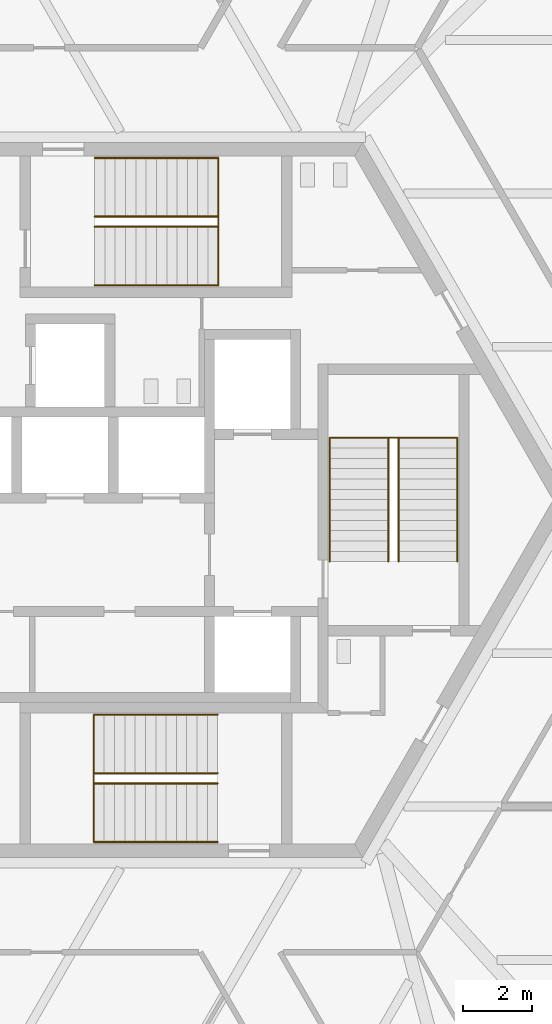
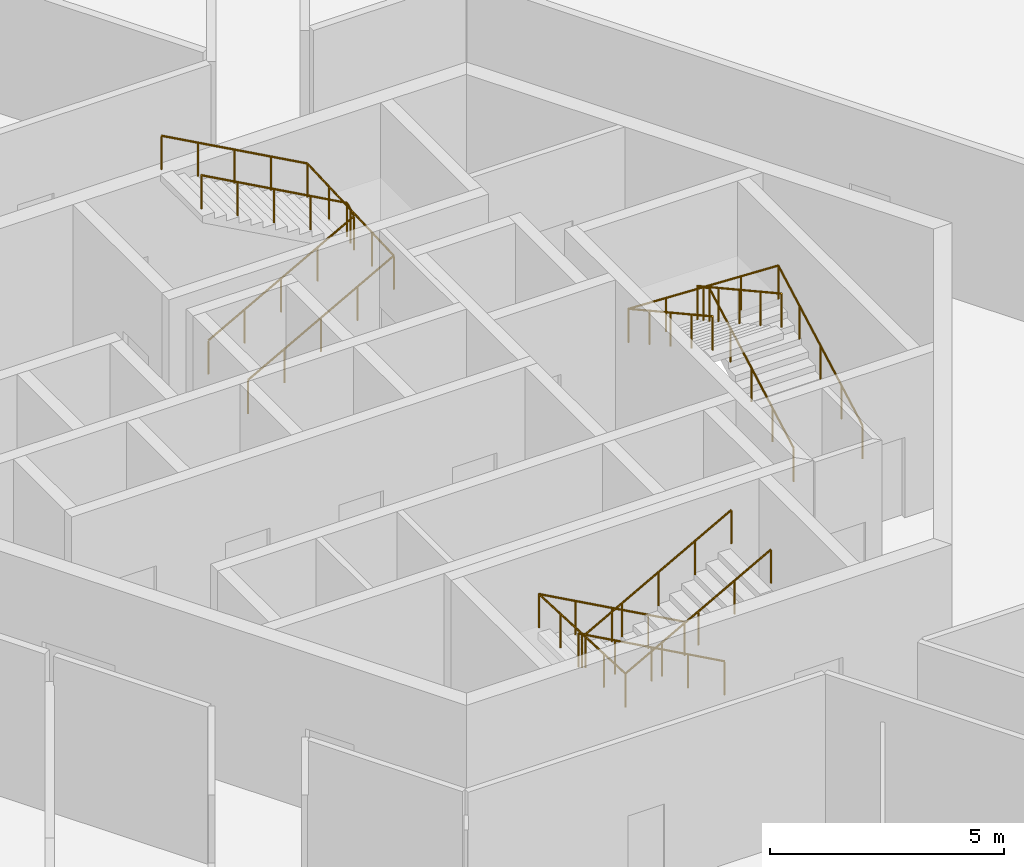
# One storey, part 15 of 16: 6 railings.
"""IFC4 building model written with IfcOpenShell, lengths in metres."""

from ifc_helpers import new_model, si_unit, direction, frame, origin, origin_2d, place, context, subcontext, project, spatial, circle, extrude, source, transform, mapped, material, type_object, element, save


model = new_model("IFC4")

# Units and contexts
model_context = context("Model", 3, precision=1e-05, world=origin(), true_north=direction((0.0, 1.0)))
body_context = subcontext(model_context, "Body", "Model", "MODEL_VIEW")
ifc_project = project(units=[si_unit("LENGTHUNIT", "METRE"), si_unit("AREAUNIT", "SQUARE_METRE"), si_unit("VOLUMEUNIT", "CUBIC_METRE"), si_unit("PLANEANGLEUNIT", "RADIAN"), si_unit("MASSUNIT", "GRAM", prefix="KILO")], contexts=[model_context])

# Site, building, storey
site_placement = place(None, origin())
site = spatial("IfcSite", under=ifc_project, at=site_placement, CompositionType="ELEMENT")
building_placement = place(site_placement, origin())
building = spatial("IfcBuilding", under=site, at=building_placement, Name="Triune Harvest Tower", CompositionType="ELEMENT")
storey_placement = place(building_placement, frame((0.0, 0.0, 37.5)))
storey = spatial("IfcBuildingStorey", under=building, at=storey_placement, Name="L08", CompositionType="ELEMENT", Elevation=37.5)

# Railings
ifc_material = material(Name="Stainless steel AISI 316", Category="steel")
railing_type = type_object("IfcRailingType", Name="Stair handrail", PredefinedType="HANDRAIL", material=ifc_material)
shared_shape_1 = source(origin(), body_context, "Body", "SweptSolid", [
    extrude(circle(Radius=0.02392578125, at=origin_2d()), frame((0.0, 0.0, 0.8759765625), z_axis=(0.875746539262, 0.0, 0.482771166259), x_axis=(0.0, 1.0, 0.0)), (0.0, 0.0, 1.0), 4.11083984375),
    extrude(circle(Radius=0.02392578125, at=origin_2d()), frame((3.60009765625, 0.0, 2.8603515625), z_axis=(0.0, 0.999000768331, 0.04469300699), x_axis=(-1.0, 0.0, 0.0)), (0.0, 0.0, 1.0), 3.70361328125),
    extrude(circle(Radius=0.02392578125, at=origin_2d()), frame((3.60009765625, 3.699951171875, 3.02587890625), z_axis=(-0.875746539262, 0.0, 0.482771166259), x_axis=(0.0, -1.0, 0.0)), (0.0, 0.0, 1.0), 4.11083984375),
    extrude(circle(Radius=0.02099609375, at=origin_2d()), origin(), (0.0, 0.0, 1.0), 0.851806640625),
    extrude(circle(Radius=0.02099609375, at=origin_2d()), frame((0.89990234375, 0.0, 0.49609375)), (0.0, 0.0, 1.0), 0.851806640625),
    extrude(circle(Radius=0.02099609375, at=origin_2d()), frame((1.800048828125, 0.0, 0.9921875)), (0.0, 0.0, 1.0), 0.851806640625),
    extrude(circle(Radius=0.02099609375, at=origin_2d()), frame((2.7001953125, 0.0, 1.488525390625)), (0.0, 0.0, 1.0), 0.851806640625),
    extrude(circle(Radius=0.02099609375, at=origin_2d()), frame((3.60009765625, 0.0, 1.984619140625)), (0.0, 0.0, 1.0), 0.851806640625),
    extrude(circle(Radius=0.02099609375, at=origin_2d()), frame((3.60009765625, 0.925048828125, 2.02587890625)), (0.0, 0.0, 1.0), 0.851806640625),
    extrude(circle(Radius=0.02099609375, at=origin_2d()), frame((3.60009765625, 1.85009765625, 2.0673828125)), (0.0, 0.0, 1.0), 0.851806640625),
    extrude(circle(Radius=0.02099609375, at=origin_2d()), frame((3.60009765625, 2.77490234375, 2.10888671875)), (0.0, 0.0, 1.0), 0.851806640625),
    extrude(circle(Radius=0.02099609375, at=origin_2d()), frame((3.60009765625, 3.699951171875, 2.150146484375)), (0.0, 0.0, 1.0), 0.851806640625),
    extrude(circle(Radius=0.02099609375, at=origin_2d()), frame((2.7001953125, 3.699951171875, 2.646240234375)), (0.0, 0.0, 1.0), 0.851806640625),
    extrude(circle(Radius=0.02099609375, at=origin_2d()), frame((1.800048828125, 3.699951171875, 3.142578125)), (0.0, 0.0, 1.0), 0.851806640625),
    extrude(circle(Radius=0.02099609375, at=origin_2d()), frame((0.89990234375, 3.699951171875, 3.638671875)), (0.0, 0.0, 1.0), 0.851806640625),
    extrude(circle(Radius=0.02099609375, at=origin_2d()), frame((0.0, 3.699951171875, 4.134765625)), (0.0, 0.0, 1.0), 0.851806640625),
])
railing_1_placement = place(storey_placement, frame((-1.7900390625, 6.239990234375, 0.165283203125)))
element("IfcRailing", 1, at=railing_1_placement, inside=storey, type_object=railing_type, Name="Exit stair north wall handrail", PredefinedType="HANDRAIL", context=body_context, shape_type="MappedRepresentation", body=[
    mapped(shared_shape_1, transform((0.0, 0.0, 0.0), scale=1.0)),
])
shared_shape_2 = source(origin(), body_context, "Body", "SweptSolid", [
    extrude(circle(Radius=0.02392578125, at=origin_2d()), frame((0.0, 0.0, 0.8759765625), z_axis=(0.875746539262, 0.0, 0.482771166259), x_axis=(0.0, 1.0, 0.0)), (0.0, 0.0, 1.0), 4.11083984375),
    extrude(circle(Radius=0.02392578125, at=origin_2d()), frame((3.60009765625, 0.0, 2.8603515625), z_axis=(0.0, 0.875598465653, 0.483039674298), x_axis=(-1.0, 0.0, 0.0)), (0.0, 0.0, 1.0), 0.3427734375),
    extrude(circle(Radius=0.02392578125, at=origin_2d()), frame((3.60009765625, 0.300048828125, 3.02587890625), z_axis=(-0.875746539262, 0.0, 0.482771166259), x_axis=(0.0, -1.0, 0.0)), (0.0, 0.0, 1.0), 4.11083984375),
    extrude(circle(Radius=0.02099609375, at=origin_2d()), origin(), (0.0, 0.0, 1.0), 0.851806640625),
    extrude(circle(Radius=0.02099609375, at=origin_2d()), frame((0.89990234375, 0.0, 0.49609375)), (0.0, 0.0, 1.0), 0.851806640625),
    extrude(circle(Radius=0.02099609375, at=origin_2d()), frame((1.800048828125, 0.0, 0.9921875)), (0.0, 0.0, 1.0), 0.851806640625),
    extrude(circle(Radius=0.02099609375, at=origin_2d()), frame((2.7001953125, 0.0, 1.488525390625)), (0.0, 0.0, 1.0), 0.851806640625),
    extrude(circle(Radius=0.02099609375, at=origin_2d()), frame((3.60009765625, 0.0, 1.984619140625)), (0.0, 0.0, 1.0), 0.851806640625),
    extrude(circle(Radius=0.02099609375, at=origin_2d()), frame((3.60009765625, 0.300048828125, 2.150146484375)), (0.0, 0.0, 1.0), 0.851806640625),
    extrude(circle(Radius=0.02099609375, at=origin_2d()), frame((2.7001953125, 0.300048828125, 2.646240234375)), (0.0, 0.0, 1.0), 0.851806640625),
    extrude(circle(Radius=0.02099609375, at=origin_2d()), frame((1.800048828125, 0.300048828125, 3.142578125)), (0.0, 0.0, 1.0), 0.851806640625),
    extrude(circle(Radius=0.02099609375, at=origin_2d()), frame((0.89990234375, 0.300048828125, 3.638671875)), (0.0, 0.0, 1.0), 0.851806640625),
    extrude(circle(Radius=0.02099609375, at=origin_2d()), frame((0.0, 0.300048828125, 4.134765625)), (0.0, 0.0, 1.0), 0.851806640625),
])
railing_2_placement = place(storey_placement, frame((-1.7900390625, 7.93994140625, 0.165283203125)))
element("IfcRailing", 2, at=railing_2_placement, inside=storey, type_object=railing_type, Name="Exit stair north centre handrail", PredefinedType="HANDRAIL", context=body_context, shape_type="MappedRepresentation", body=[
    mapped(shared_shape_2, transform((0.0, 0.0, 0.0), scale=1.0)),
])
shared_shape_3 = source(origin(), body_context, "Body", "SweptSolid", [
    extrude(circle(Radius=0.02392578125, at=origin_2d()), frame((0.0, 0.0, 0.8759765625), z_axis=(-0.875746539262, 0.0, 0.482771166259), x_axis=(0.0, -1.0, 0.0)), (0.0, 0.0, 1.0), 4.11083984375),
    extrude(circle(Radius=0.02392578125, at=origin_2d()), frame((-3.60009765625, 0.0, 2.8603515625), z_axis=(0.0, -0.999000768331, 0.04469300699), x_axis=(1.0, 0.0, 0.0)), (0.0, 0.0, 1.0), 3.70361328125),
    extrude(circle(Radius=0.02392578125, at=origin_2d()), frame((-3.60009765625, -3.699951171875, 3.02587890625), z_axis=(0.875746539262, 0.0, 0.482771166259), x_axis=(0.0, 1.0, 0.0)), (0.0, 0.0, 1.0), 4.11083984375),
    extrude(circle(Radius=0.02099609375, at=origin_2d()), origin(), (0.0, 0.0, 1.0), 0.851806640625),
    extrude(circle(Radius=0.02099609375, at=origin_2d()), frame((-0.89990234375, 0.0, 0.49609375)), (0.0, 0.0, 1.0), 0.851806640625),
    extrude(circle(Radius=0.02099609375, at=origin_2d()), frame((-1.800048828125, 0.0, 0.9921875)), (0.0, 0.0, 1.0), 0.851806640625),
    extrude(circle(Radius=0.02099609375, at=origin_2d()), frame((-2.7001953125, 0.0, 1.488525390625)), (0.0, 0.0, 1.0), 0.851806640625),
    extrude(circle(Radius=0.02099609375, at=origin_2d()), frame((-3.60009765625, 0.0, 1.984619140625)), (0.0, 0.0, 1.0), 0.851806640625),
    extrude(circle(Radius=0.02099609375, at=origin_2d()), frame((-3.60009765625, -0.925048828125, 2.02587890625)), (0.0, 0.0, 1.0), 0.851806640625),
    extrude(circle(Radius=0.02099609375, at=origin_2d()), frame((-3.60009765625, -1.85009765625, 2.0673828125)), (0.0, 0.0, 1.0), 0.851806640625),
    extrude(circle(Radius=0.02099609375, at=origin_2d()), frame((-3.60009765625, -2.77490234375, 2.10888671875)), (0.0, 0.0, 1.0), 0.851806640625),
    extrude(circle(Radius=0.02099609375, at=origin_2d()), frame((-3.60009765625, -3.699951171875, 2.150146484375)), (0.0, 0.0, 1.0), 0.851806640625),
    extrude(circle(Radius=0.02099609375, at=origin_2d()), frame((-2.7001953125, -3.699951171875, 2.646240234375)), (0.0, 0.0, 1.0), 0.851806640625),
    extrude(circle(Radius=0.02099609375, at=origin_2d()), frame((-1.800048828125, -3.699951171875, 3.142578125)), (0.0, 0.0, 1.0), 0.851806640625),
    extrude(circle(Radius=0.02099609375, at=origin_2d()), frame((-0.89990234375, -3.699951171875, 3.638671875)), (0.0, 0.0, 1.0), 0.851806640625),
    extrude(circle(Radius=0.02099609375, at=origin_2d()), frame((0.0, -3.699951171875, 4.134765625)), (0.0, 0.0, 1.0), 0.851806640625),
])
railing_3_placement = place(storey_placement, frame((1.7900390625, -6.239990234375, 0.165283203125)))
element("IfcRailing", 3, at=railing_3_placement, inside=storey, type_object=railing_type, Name="Exit stair south wall handrail", PredefinedType="HANDRAIL", context=body_context, shape_type="MappedRepresentation", body=[
    mapped(shared_shape_3, transform((0.0, 0.0, 0.0), scale=1.0)),
])
shared_shape_4 = source(origin(), body_context, "Body", "SweptSolid", [
    extrude(circle(Radius=0.02392578125, at=origin_2d()), frame((0.0, 0.0, 0.8759765625), z_axis=(-0.875746539262, 0.0, 0.482771166259), x_axis=(0.0, -1.0, 0.0)), (0.0, 0.0, 1.0), 4.11083984375),
    extrude(circle(Radius=0.02392578125, at=origin_2d()), frame((-3.60009765625, 0.0, 2.8603515625), z_axis=(0.0, -0.875598465653, 0.483039674298), x_axis=(1.0, 0.0, 0.0)), (0.0, 0.0, 1.0), 0.3427734375),
    extrude(circle(Radius=0.02392578125, at=origin_2d()), frame((-3.60009765625, -0.300048828125, 3.02587890625), z_axis=(0.875746539262, 0.0, 0.482771166259), x_axis=(0.0, 1.0, 0.0)), (0.0, 0.0, 1.0), 4.11083984375),
    extrude(circle(Radius=0.02099609375, at=origin_2d()), origin(), (0.0, 0.0, 1.0), 0.851806640625),
    extrude(circle(Radius=0.02099609375, at=origin_2d()), frame((-0.89990234375, 0.0, 0.49609375)), (0.0, 0.0, 1.0), 0.851806640625),
    extrude(circle(Radius=0.02099609375, at=origin_2d()), frame((-1.800048828125, 0.0, 0.9921875)), (0.0, 0.0, 1.0), 0.851806640625),
    extrude(circle(Radius=0.02099609375, at=origin_2d()), frame((-2.7001953125, 0.0, 1.488525390625)), (0.0, 0.0, 1.0), 0.851806640625),
    extrude(circle(Radius=0.02099609375, at=origin_2d()), frame((-3.60009765625, 0.0, 1.984619140625)), (0.0, 0.0, 1.0), 0.851806640625),
    extrude(circle(Radius=0.02099609375, at=origin_2d()), frame((-3.60009765625, -0.300048828125, 2.150146484375)), (0.0, 0.0, 1.0), 0.851806640625),
    extrude(circle(Radius=0.02099609375, at=origin_2d()), frame((-2.7001953125, -0.300048828125, 2.646240234375)), (0.0, 0.0, 1.0), 0.851806640625),
    extrude(circle(Radius=0.02099609375, at=origin_2d()), frame((-1.800048828125, -0.300048828125, 3.142578125)), (0.0, 0.0, 1.0), 0.851806640625),
    extrude(circle(Radius=0.02099609375, at=origin_2d()), frame((-0.89990234375, -0.300048828125, 3.638671875)), (0.0, 0.0, 1.0), 0.851806640625),
    extrude(circle(Radius=0.02099609375, at=origin_2d()), frame((0.0, -0.300048828125, 4.134765625)), (0.0, 0.0, 1.0), 0.851806640625),
])
railing_4_placement = place(storey_placement, frame((1.7900390625, -7.93994140625, 0.165283203125)))
element("IfcRailing", 4, at=railing_4_placement, inside=storey, type_object=railing_type, Name="Exit stair south centre handrail", PredefinedType="HANDRAIL", context=body_context, shape_type="MappedRepresentation", body=[
    mapped(shared_shape_4, transform((0.0, 0.0, 0.0), scale=1.0)),
])
shared_shape_5 = source(origin(), body_context, "Body", "SweptSolid", [
    extrude(circle(Radius=0.02392578125, at=origin_2d()), frame((0.0, 0.0, 0.8759765625), z_axis=(0.0, 0.875746539262, 0.482771166259), x_axis=(-1.0, 0.0, 0.0)), (0.0, 0.0, 1.0), 4.11083984375),
    extrude(circle(Radius=0.02392578125, at=origin_2d()), frame((0.0, 3.60009765625, 2.8603515625), z_axis=(-0.999000768331, 0.0, 0.04469300699), x_axis=(0.0, -1.0, 0.0)), (0.0, 0.0, 1.0), 3.70361328125),
    extrude(circle(Radius=0.02392578125, at=origin_2d()), frame((-3.699951171875, 3.60009765625, 3.02587890625), z_axis=(0.0, -0.875746539262, 0.482771166259), x_axis=(1.0, 0.0, 0.0)), (0.0, 0.0, 1.0), 4.11083984375),
    extrude(circle(Radius=0.02099609375, at=origin_2d()), origin(), (0.0, 0.0, 1.0), 0.851806640625),
    extrude(circle(Radius=0.02099609375, at=origin_2d()), frame((0.0, 0.89990234375, 0.49609375)), (0.0, 0.0, 1.0), 0.851806640625),
    extrude(circle(Radius=0.02099609375, at=origin_2d()), frame((0.0, 1.800048828125, 0.9921875)), (0.0, 0.0, 1.0), 0.851806640625),
    extrude(circle(Radius=0.02099609375, at=origin_2d()), frame((0.0, 2.7001953125, 1.488525390625)), (0.0, 0.0, 1.0), 0.851806640625),
    extrude(circle(Radius=0.02099609375, at=origin_2d()), frame((0.0, 3.60009765625, 1.984619140625)), (0.0, 0.0, 1.0), 0.851806640625),
    extrude(circle(Radius=0.02099609375, at=origin_2d()), frame((-0.925048828125, 3.60009765625, 2.02587890625)), (0.0, 0.0, 1.0), 0.851806640625),
    extrude(circle(Radius=0.02099609375, at=origin_2d()), frame((-1.85009765625, 3.60009765625, 2.0673828125)), (0.0, 0.0, 1.0), 0.851806640625),
    extrude(circle(Radius=0.02099609375, at=origin_2d()), frame((-2.77490234375, 3.60009765625, 2.10888671875)), (0.0, 0.0, 1.0), 0.851806640625),
    extrude(circle(Radius=0.02099609375, at=origin_2d()), frame((-3.699951171875, 3.60009765625, 2.150146484375)), (0.0, 0.0, 1.0), 0.851806640625),
    extrude(circle(Radius=0.02099609375, at=origin_2d()), frame((-3.699951171875, 2.7001953125, 2.646240234375)), (0.0, 0.0, 1.0), 0.851806640625),
    extrude(circle(Radius=0.02099609375, at=origin_2d()), frame((-3.699951171875, 1.800048828125, 3.142578125)), (0.0, 0.0, 1.0), 0.851806640625),
    extrude(circle(Radius=0.02099609375, at=origin_2d()), frame((-3.699951171875, 0.89990234375, 3.638671875)), (0.0, 0.0, 1.0), 0.851806640625),
    extrude(circle(Radius=0.02099609375, at=origin_2d()), frame((-3.699951171875, 0.0, 4.134765625)), (0.0, 0.0, 1.0), 0.851806640625),
])
railing_5_placement = place(storey_placement, frame((8.75, -1.7900390625, 0.165283203125)))
element("IfcRailing", 5, at=railing_5_placement, inside=storey, type_object=railing_type, Name="Exit stair east wall handrail", PredefinedType="HANDRAIL", context=body_context, shape_type="MappedRepresentation", body=[
    mapped(shared_shape_5, transform((0.0, 0.0, 0.0), scale=1.0)),
])
shared_shape_6 = source(origin(), body_context, "Body", "SweptSolid", [
    extrude(circle(Radius=0.02392578125, at=origin_2d()), frame((0.0, 0.0, 0.8759765625), z_axis=(0.0, 0.875746539262, 0.482771166259), x_axis=(-1.0, 0.0, 0.0)), (0.0, 0.0, 1.0), 4.11083984375),
    extrude(circle(Radius=0.02392578125, at=origin_2d()), frame((0.0, 3.60009765625, 2.8603515625), z_axis=(-0.875598465653, 0.0, 0.483039674298), x_axis=(0.0, -1.0, 0.0)), (0.0, 0.0, 1.0), 0.3427734375),
    extrude(circle(Radius=0.02392578125, at=origin_2d()), frame((-0.300048828125, 3.60009765625, 3.02587890625), z_axis=(0.0, -0.875746539262, 0.482771166259), x_axis=(1.0, 0.0, 0.0)), (0.0, 0.0, 1.0), 4.11083984375),
    extrude(circle(Radius=0.02099609375, at=origin_2d()), origin(), (0.0, 0.0, 1.0), 0.851806640625),
    extrude(circle(Radius=0.02099609375, at=origin_2d()), frame((0.0, 0.89990234375, 0.49609375)), (0.0, 0.0, 1.0), 0.851806640625),
    extrude(circle(Radius=0.02099609375, at=origin_2d()), frame((0.0, 1.800048828125, 0.9921875)), (0.0, 0.0, 1.0), 0.851806640625),
    extrude(circle(Radius=0.02099609375, at=origin_2d()), frame((0.0, 2.7001953125, 1.488525390625)), (0.0, 0.0, 1.0), 0.851806640625),
    extrude(circle(Radius=0.02099609375, at=origin_2d()), frame((0.0, 3.60009765625, 1.984619140625)), (0.0, 0.0, 1.0), 0.851806640625),
    extrude(circle(Radius=0.02099609375, at=origin_2d()), frame((-0.300048828125, 3.60009765625, 2.150146484375)), (0.0, 0.0, 1.0), 0.851806640625),
    extrude(circle(Radius=0.02099609375, at=origin_2d()), frame((-0.300048828125, 2.7001953125, 2.646240234375)), (0.0, 0.0, 1.0), 0.851806640625),
    extrude(circle(Radius=0.02099609375, at=origin_2d()), frame((-0.300048828125, 1.800048828125, 3.142578125)), (0.0, 0.0, 1.0), 0.851806640625),
    extrude(circle(Radius=0.02099609375, at=origin_2d()), frame((-0.300048828125, 0.89990234375, 3.638671875)), (0.0, 0.0, 1.0), 0.851806640625),
    extrude(circle(Radius=0.02099609375, at=origin_2d()), frame((-0.300048828125, 0.0, 4.134765625)), (0.0, 0.0, 1.0), 0.851806640625),
])
railing_6_placement = place(storey_placement, frame((7.050048828125, -1.7900390625, 0.165283203125)))
element("IfcRailing", 6, at=railing_6_placement, inside=storey, type_object=railing_type, Name="Exit stair east centre handrail", PredefinedType="HANDRAIL", context=body_context, shape_type="MappedRepresentation", body=[
    mapped(shared_shape_6, transform((0.0, 0.0, 0.0), scale=1.0)),
])

save(model, "model.ifc")
